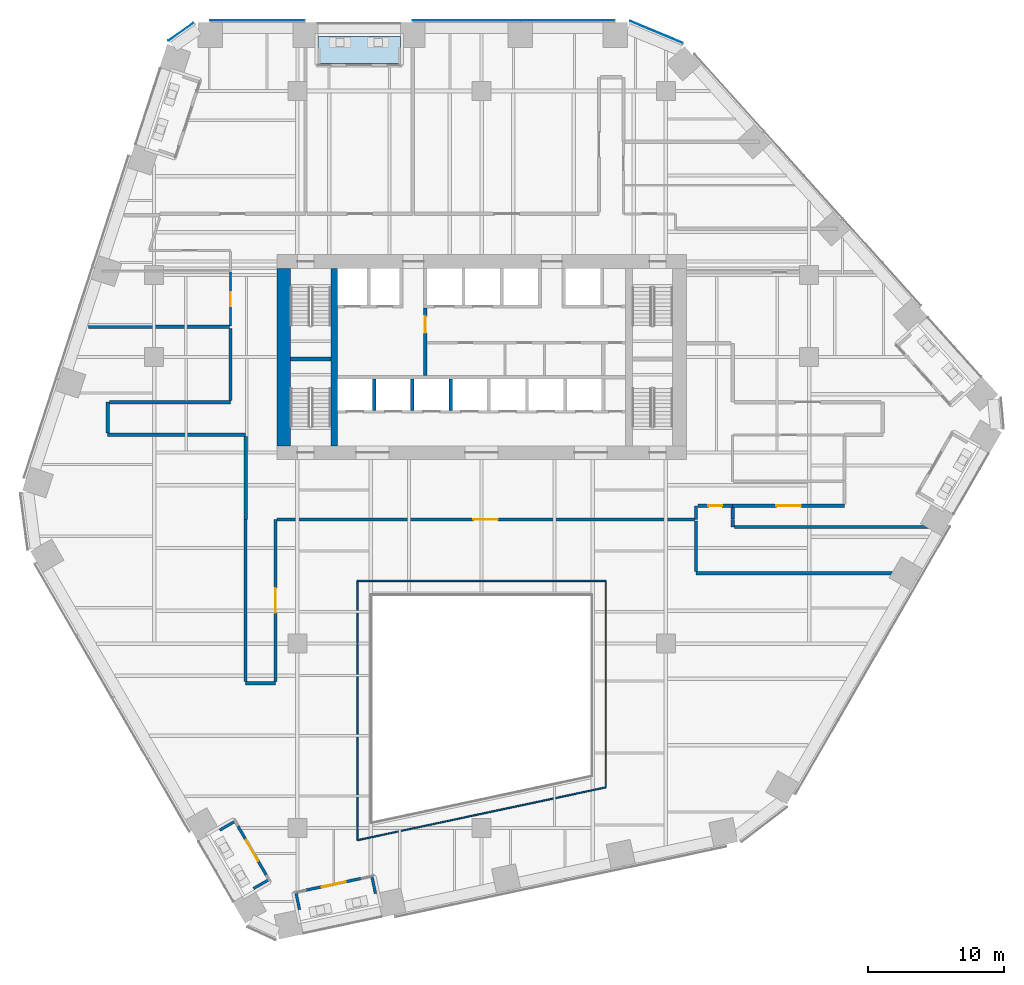
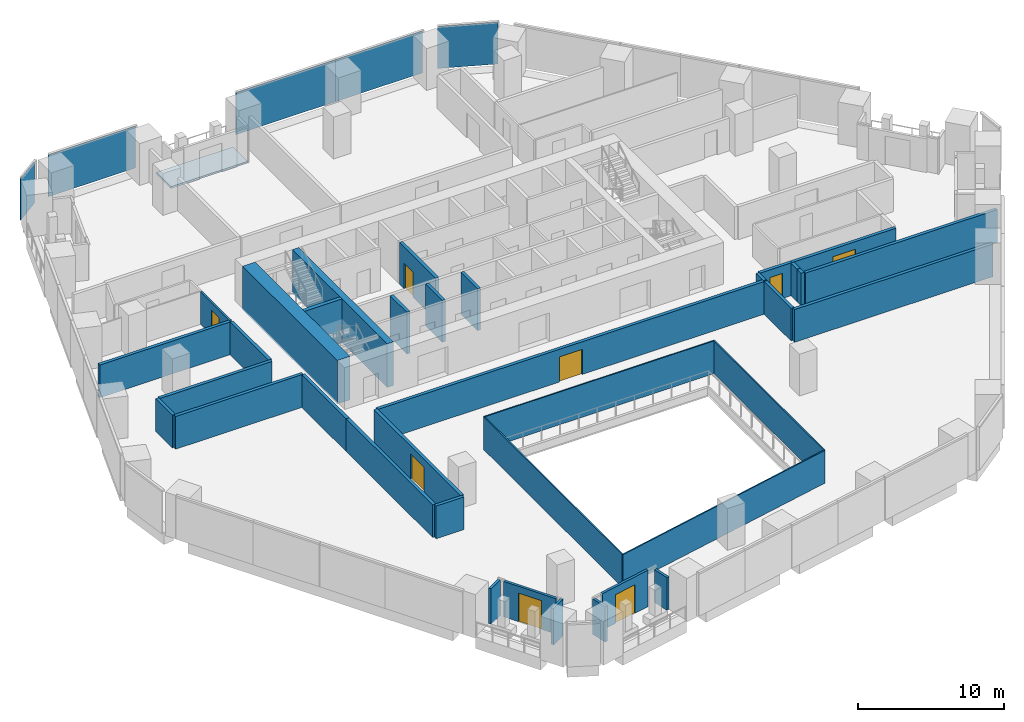
# One storey, part 20 of 28: 36 walls, 8 doors, 5 plates, 1 slab, 8 openings, 3 elements without a shape of their own.
"""IFC4 building model written with IfcOpenShell, lengths in metres."""

import ifcopenshell
import ifcopenshell.guid

model = None  # the IFC model being written
_history = None  # IfcOwnerHistory: only IFC2X3 demands one
_inside = {}  # id of a spatial element -> (the spatial element, [elements in it])
_under = {}  # id of a project, library or spatial element -> (it, [spatial elements below it])
_declared = {}  # id of a project -> (the project, [libraries it declares])
_typed = {}  # id of a type object -> (the type object, [elements of that type])
_made_of = {}  # id of a material, layer set ... -> (it, [elements and type objects made of it])


def new_model(schema):
    """Start an empty IFC model of exactly this schema.

    Asked for "IFC4X3", IfcOpenShell would pick the latest addendum, in which some entities
    have other attributes; the version numbers below select the first issue.
    IFC2X3 requires an IfcOwnerHistory on every rooted entity: one is made here for all.
    """
    global model, _history
    if schema == "IFC4X3":
        model = ifcopenshell.file(schema_version=(4, 3, 0, 0))
    else:
        model = ifcopenshell.file(schema=schema)
    _inside.clear()
    _under.clear()
    _declared.clear()
    _typed.clear()
    _made_of.clear()
    _history = None
    if model.schema == "IFC2X3":
        org = make("IfcOrganization", Name="unknown")
        user = make(
            "IfcPersonAndOrganization",
            ThePerson=make("IfcPerson", FamilyName="unknown"),
            TheOrganization=org,
        )
        app = make(
            "IfcApplication",
            ApplicationDeveloper=org,
            Version="unknown",
            ApplicationFullName="unknown",
            ApplicationIdentifier="unknown",
        )
        _history = make(
            "IfcOwnerHistory",
            OwningUser=user,
            OwningApplication=app,
            ChangeAction="ADDED",
            CreationDate=0,
        )
    return model


def make(cls, **values):
    """One entity of the class cls with the attributes given. An attribute that is None is left unset."""
    return model.create_entity(
        cls, **{name: value for name, value in values.items() if value is not None}
    )


def rooted(cls, **values):
    """An entity with a GlobalId (a new one), such as an element, a storey or a relation."""
    return make(cls, GlobalId=ifcopenshell.guid.new(), OwnerHistory=_history, **values)


def si_unit(unit_type, name, prefix=None):
    """IfcSIUnit, for example si_unit("LENGTHUNIT", "METRE", prefix="MILLI")."""
    return make("IfcSIUnit", UnitType=unit_type, Prefix=prefix, Name=name)


def assignment(units):
    """IfcUnitAssignment: the units of a project."""
    return None if units is None else make("IfcUnitAssignment", Units=units)


def point(xyz):
    """IfcCartesianPoint."""
    return None if xyz is None else make("IfcCartesianPoint", Coordinates=xyz)


def direction(xyz):
    """IfcDirection."""
    return None if xyz is None else make("IfcDirection", DirectionRatios=xyz)


def frame(location, z_axis=None, x_axis=None):
    """IfcAxis2Placement3D, a coordinate frame: its origin and axes. An axis left out is left unset."""
    return make(
        "IfcAxis2Placement3D",
        Location=point(location),
        Axis=direction(z_axis),
        RefDirection=direction(x_axis),
    )


def frame_2d(location, x_axis=None):
    """IfcAxis2Placement2D, a coordinate frame in the plane: its origin and x axis."""
    return make(
        "IfcAxis2Placement2D", Location=point(location), RefDirection=direction(x_axis)
    )


def origin():
    """The frame at (0, 0, 0) with its axes left unset."""
    return frame((0.0, 0.0, 0.0))


def origin_2d():
    """The frame at (0, 0) in the plane with its x axis left unset."""
    return frame_2d((0.0, 0.0))


def place(relative_to, where):
    """IfcLocalPlacement: puts the frame where relative to a parent placement (None: the world)."""
    return make(
        "IfcLocalPlacement", PlacementRelTo=relative_to, RelativePlacement=where
    )


def context(
    kind, dimensions, precision=None, world=None, true_north=None, identifier=None
):
    """IfcGeometricRepresentationContext, for example the 3D "Model" context."""
    return make(
        "IfcGeometricRepresentationContext",
        ContextIdentifier=identifier,
        ContextType=kind,
        CoordinateSpaceDimension=dimensions,
        Precision=precision,
        WorldCoordinateSystem=world,
        TrueNorth=true_north,
    )


def subcontext(parent, identifier, kind, view, scale=None):
    """IfcGeometricRepresentationSubContext, for example "Body" below "Model"."""
    return make(
        "IfcGeometricRepresentationSubContext",
        ContextIdentifier=identifier,
        ContextType=kind,
        ParentContext=parent,
        TargetScale=scale,
        TargetView=view,
    )


def project(units=None, contexts=None):
    """IfcProject with its units and contexts."""
    return rooted(
        "IfcProject",
        Name="project",
        RepresentationContexts=contexts,
        UnitsInContext=assignment(units),
    )


def spatial(cls, under=None, at=None, **own):
    """A site, building, storey or space (cls), placed at a placement, below another one or the project."""
    s = rooted(cls, ObjectPlacement=at, **own)
    if under is not None:
        _under.setdefault(under.id(), (under, []))[1].append(s)
    return s


def polyline(points):
    """IfcPolyline through the points."""
    return make("IfcPolyline", Points=[point(p) for p in points])


def profile(cls, at=None, kind="AREA", **sizes):
    """A parametric profile (cls). Its sizes go by their IFC names, for example OverallWidth=200.0."""
    return make(cls, ProfileType=kind, Position=at, **sizes)


def rectangle(**sizes):
    """IfcRectangleProfileDef."""
    return profile("IfcRectangleProfileDef", **sizes)


def outline(outer, holes=None, kind="AREA"):
    """IfcArbitraryClosedProfileDef: a profile drawn as a closed curve; with holes, ...WithVoids."""
    if holes is None:
        return make("IfcArbitraryClosedProfileDef", ProfileType=kind, OuterCurve=outer)
    return make(
        "IfcArbitraryProfileDefWithVoids",
        ProfileType=kind,
        OuterCurve=outer,
        InnerCurves=holes,
    )


def extrude(swept, where, along, depth):
    """IfcExtrudedAreaSolid: the profile swept, set in the frame where, extruded along a direction by depth."""
    return make(
        "IfcExtrudedAreaSolid",
        SweptArea=swept,
        Position=where,
        ExtrudedDirection=direction(along),
        Depth=depth,
    )


def shape(context_of_items, identifier, shape_type, items):
    """IfcShapeRepresentation: the items that make up one representation, for example the "Body"."""
    return make(
        "IfcShapeRepresentation",
        ContextOfItems=context_of_items,
        RepresentationIdentifier=identifier,
        RepresentationType=shape_type,
        Items=items,
    )


def material(Name=None, Category=None):
    """IfcMaterial."""
    return make("IfcMaterial", Name=Name, Category=Category)


def layer(
    of_material, thickness, ventilated=None, Name=None, Category=None, Priority=None
):
    """IfcMaterialLayer: one layer of a wall or slab, of a material (None: an air gap)."""
    return make(
        "IfcMaterialLayer",
        Material=of_material,
        LayerThickness=thickness,
        IsVentilated=ventilated,
        Name=Name,
        Category=Category,
        Priority=Priority,
    )


def layer_set(layers, Name=None):
    """IfcMaterialLayerSet."""
    return make("IfcMaterialLayerSet", MaterialLayers=layers, LayerSetName=Name)


def made_of(thing, what):
    """Note that an element or type object is made of a material, layer set ...; save() writes the relation."""
    if what is not None:
        _made_of.setdefault(what.id(), (what, []))[1].append(thing)
    return thing


def type_object(cls, material=None, **own):
    """A type object (cls), such as IfcWallType, which elements share."""
    return made_of(rooted(cls, **own), material)


def element(
    cls,
    number,
    at=None,
    inside=None,
    cuts=None,
    type_object=None,
    material=None,
    context=None,
    identifier="Body",
    shape_type=None,
    held_by="IfcProductDefinitionShape",
    body=None,
    shapes=None,
    **own,
):
    """One element of the class cls, such as IfcWall. Its Tag is "e" and its number.

    at: its placement. inside: the storey or other place that contains it. cuts: it is an
    opening in that element (IfcRelVoidsElement). A single representation is given by context,
    identifier, shape_type and body (its items); several are given by shapes. held_by: the class
    of the entity that holds the representations. save() writes the other relations.
    """
    e = rooted(cls, Tag="e%d" % number, ObjectPlacement=at, **own)
    if body is not None:
        shapes = [shape(context, identifier, shape_type, body)]
    if shapes is not None:
        e.Representation = make(held_by, Representations=shapes)
    if inside is not None:
        _inside.setdefault(inside.id(), (inside, []))[1].append(e)
    if cuts is not None:
        rooted(
            "IfcRelVoidsElement", RelatingBuildingElement=cuts, RelatedOpeningElement=e
        )
    if type_object is not None:
        _typed.setdefault(type_object.id(), (type_object, []))[1].append(e)
    return made_of(e, material)


def fill(opening, filler):
    """IfcRelFillsElement: the door or window that sits in an opening."""
    return rooted(
        "IfcRelFillsElement",
        RelatingOpeningElement=opening,
        RelatedBuildingElement=filler,
    )


def aggregate(whole, parts):
    """IfcRelAggregates: a whole, such as a stair, and the parts it consists of."""
    return rooted("IfcRelAggregates", RelatingObject=whole, RelatedObjects=parts)


def save(model, path):
    """Write the relations noted so far, then the file.

    IfcRelAggregates (storeys below a building ...), IfcRelContainedInSpatialStructure (elements
    in a storey), IfcRelDefinesByType, IfcRelAssociatesMaterial and IfcRelDeclares: one each for
    every whole, place, type object, material and project.
    """
    for whole, parts in _under.values():
        aggregate(whole, parts)
    for where, things in _inside.values():
        rooted(
            "IfcRelContainedInSpatialStructure",
            RelatedElements=things,
            RelatingStructure=where,
        )
    for kind, things in _typed.values():
        rooted("IfcRelDefinesByType", RelatedObjects=things, RelatingType=kind)
    for what, things in _made_of.values():
        rooted("IfcRelAssociatesMaterial", RelatedObjects=things, RelatingMaterial=what)
    for by, libraries in _declared.values():
        rooted("IfcRelDeclares", RelatingContext=by, RelatedDefinitions=libraries)
    model.write(path)


model = new_model("IFC4")

# Units and contexts
model_context = context("Model", 3, precision=1e-05, world=origin(), true_north=direction((0.0, 1.0)))
body_context = subcontext(model_context, "Body", "Model", "MODEL_VIEW")
ifc_project = project(units=[si_unit("LENGTHUNIT", "METRE"), si_unit("AREAUNIT", "SQUARE_METRE"), si_unit("VOLUMEUNIT", "CUBIC_METRE"), si_unit("PLANEANGLEUNIT", "RADIAN"), si_unit("MASSUNIT", "GRAM", prefix="KILO")], contexts=[model_context])

# Site, building, storey
site_placement = place(None, origin())
site = spatial("IfcSite", under=ifc_project, at=site_placement, CompositionType="ELEMENT")
building_placement = place(site_placement, origin())
building = spatial("IfcBuilding", under=site, at=building_placement, Name="Isthmus Gate Tower", CompositionType="ELEMENT")
storey_placement = place(building_placement, frame((0.0, 0.0, 68.85009765625)))
storey = spatial("IfcBuildingStorey", under=building, at=storey_placement, Name="L15", CompositionType="ELEMENT", Elevation=68.85009765625)

# Curtain wall, plates
ifc_material_1 = material(Name="Aluminium, pale champagne anodised", Category="aluminium")
ifc_layer_1 = layer(ifc_material_1, 0.199951171875)
ifc_layer_set_1 = layer_set([ifc_layer_1], Name="CW-1 UNITISED CURTAIN WALL 200 DEEP")
curtain_wall_type = type_object("IfcCurtainWallType", Name="CW-1 UNITISED CURTAIN WALL 200 DEEP", PredefinedType="NOTDEFINED", material=ifc_layer_set_1)
curtain_wall_1_placement = place(storey_placement, origin())
curtain_wall_1 = element("IfcCurtainWall", 1, at=curtain_wall_1_placement, inside=storey, type_object=curtain_wall_type, Name="CW-1 N L15", PredefinedType="NOTDEFINED")
ifc_material_2 = material(Name="Laminated low-iron glass, pale blue tint", Category="glass")
ifc_layer_2 = layer(ifc_material_2, 0.0400390625)
ifc_layer_set_2 = layer_set([ifc_layer_2], Name="CW-1 CLEAR GLASS LITE 40")
plate_type = type_object("IfcPlateType", Name="CW-1 CLEAR GLASS LITE 40", PredefinedType="CURTAIN_PANEL", material=ifc_layer_set_2)
plate_1_placement = place(storey_placement, frame((6.287109375, 32.179931640625, 0.0), z_axis=(0.0, 0.0, 1.0), x_axis=(-1.0, 0.0, 0.0)))
plate_1 = element("IfcPlate", 2, at=plate_1_placement, type_object=plate_type, Name="CW-1 glass lite", PredefinedType="CURTAIN_PANEL", context=body_context, shape_type="SweptSolid", body=[
    extrude(rectangle(XDim=6.909423828125, YDim=0.0400390625, at=origin_2d()), origin(), (0.0, 0.0, 1.0), 3.5),
])
plate_2_placement = place(storey_placement, frame((-1.1025390625, 32.179931640625, 0.0), z_axis=(0.0, 0.0, 1.0), x_axis=(-1.0, 0.0, 0.0)))
plate_2 = element("IfcPlate", 3, at=plate_2_placement, type_object=plate_type, Name="CW-1 glass lite", PredefinedType="CURTAIN_PANEL", context=body_context, shape_type="SweptSolid", body=[
    extrude(rectangle(XDim=7.86962890625, YDim=0.0400390625, at=origin_2d()), origin(), (0.0, 0.0, 1.0), 3.5),
])
plate_3_placement = place(storey_placement, frame((-16.42138671875, 32.179931640625, 0.0), z_axis=(0.0, 0.0, 1.0), x_axis=(-1.0, 0.0, 0.0)))
plate_3 = element("IfcPlate", 4, at=plate_3_placement, type_object=plate_type, Name="CW-1 glass lite", PredefinedType="CURTAIN_PANEL", context=body_context, shape_type="SweptSolid", body=[
    extrude(rectangle(XDim=6.909423828125, YDim=0.0400390625, at=origin_2d()), origin(), (0.0, 0.0, 1.0), 3.5),
])
aggregate(curtain_wall_1, [plate_1, plate_2, plate_3])

# Curtain wall, plate
curtain_wall_2_placement = place(storey_placement, origin())
curtain_wall_2 = element("IfcCurtainWall", 5, at=curtain_wall_2_placement, inside=storey, type_object=curtain_wall_type, Name="CW-1 N-NW L15", PredefinedType="NOTDEFINED")
plate_4_placement = place(storey_placement, frame((-22.025146484375, 31.341552734375, 0.0), z_axis=(0.0, 0.0, 1.0), x_axis=(-0.81785959165, -0.57541783805, 0.0)))
plate_4 = element("IfcPlate", 6, at=plate_4_placement, type_object=plate_type, Name="CW-1 glass lite", PredefinedType="CURTAIN_PANEL", context=body_context, shape_type="SweptSolid", body=[
    extrude(rectangle(XDim=2.258544921875, YDim=0.0400390625, at=origin_2d()), origin(), (0.0, 0.0, 1.0), 3.5),
])
aggregate(curtain_wall_2, [plate_4])

curtain_wall_3_placement = place(storey_placement, origin())
curtain_wall_3 = element("IfcCurtainWall", 7, at=curtain_wall_3_placement, inside=storey, type_object=curtain_wall_type, Name="CW-1 NE-N L15", PredefinedType="NOTDEFINED")
plate_5_placement = place(storey_placement, frame((12.816650390625, 31.315673828125, 0.0), z_axis=(0.0, 0.0, 1.0), x_axis=(-0.923353128387, 0.383951820282, 0.0)))
plate_5 = element("IfcPlate", 8, at=plate_5_placement, type_object=plate_type, Name="CW-1 glass lite", PredefinedType="CURTAIN_PANEL", context=body_context, shape_type="SweptSolid", body=[
    extrude(rectangle(XDim=4.181396484375, YDim=0.0400390625, at=origin_2d()), origin(), (0.0, 0.0, 1.0), 3.5),
])
aggregate(curtain_wall_3, [plate_5])

# Slab
ifc_material_3 = material(Name="Concrete f'c 50 MPa", Category="concrete")
ifc_layer_3 = layer(ifc_material_3, 0.14990234375)
ifc_layer_set_3 = layer_set([ifc_layer_3], Name="LOGGIA FLOOR SLAB 150")
slab_type = type_object("IfcSlabType", Name="LOGGIA FLOOR SLAB 150", PredefinedType="FLOOR", material=ifc_layer_set_3)
slab_placement = place(storey_placement, frame((0.0, 0.0, -0.150146484375)))
element("IfcSlab", 9, at=slab_placement, inside=storey, type_object=slab_type, Name="LOGGIA FLOOR", PredefinedType="FLOOR", context=body_context, shape_type="SweptSolid", body=[
    extrude(outline(polyline([(-5.937255859375, 31.0), (-12.006591796875, 31.0), (-12.006591796875, 29.0), (-5.937255859375, 29.0), (-5.937255859375, 31.0)])), origin(), (0.0, 0.0, 1.0), 0.150146484375),
])

# Wall
ifc_material_4 = material(Name="Double-leaf acoustic stud wall, fire-rated", Category="gypsum")
ifc_layer_4 = layer(ifc_material_4, 0.25)
ifc_layer_set_4 = layer_set([ifc_layer_4], Name="ACOUSTIC WALL 250 60 MIN")
wall_type_1 = type_object("IfcWallType", Name="ACOUSTIC WALL 250 60 MIN", PredefinedType="PARTITIONING", material=ifc_layer_set_4)
wall_1_placement = place(storey_placement, frame((15.712890625, -3.39990234375, 0.0), z_axis=(0.0, 0.0, 1.0), x_axis=(0.0, -1.0, 0.0)))
element("IfcWall", 10, at=wall_1_placement, inside=storey, type_object=wall_type_1, Name="L15 Acoustic Wall 250 60 Min", PredefinedType="PARTITIONING", context=body_context, shape_type="SweptSolid", body=[
    extrude(rectangle(XDim=1.0, YDim=0.25, at=frame_2d((0.5, 0.0))), origin(), (0.0, 0.0, 1.0), 2.7412109375),
])

# Wall, opening, door
wall_2_placement = place(storey_placement, frame((15.587890625, -4.39990234375, 0.0), z_axis=(0.0, 0.0, 1.0), x_axis=(-1.0, 0.0, 0.0)))
wall_2 = element("IfcWall", 11, at=wall_2_placement, inside=storey, type_object=wall_type_1, Name="L15 Acoustic Wall 250 60 Min", PredefinedType="PARTITIONING", context=body_context, shape_type="SweptSolid", body=[
    extrude(rectangle(XDim=30.56298828125, YDim=0.25, at=frame_2d((15.281494140625, 0.0))), origin(), (0.0, 0.0, 1.0), 2.7412109375),
])
opening_1_placement = place(wall_2_placement, frame((14.39404296875, 0.0, 0.0)))
opening_1 = element("IfcOpeningElement", 12, at=opening_1_placement, cuts=wall_2, Name="Opening DT-T1D-14", PredefinedType="OPENING", context=body_context, shape_type="SweptSolid", body=[
    extrude(rectangle(XDim=1.800048828125, YDim=2.10009765625, at=frame_2d((0.89990234375, 1.050048828125))), frame((0.0, 0.135009765625, 0.0), z_axis=(0.0, -1.0, 0.0), x_axis=(1.0, 0.0, 0.0)), (0.0, 0.0, 1.0), 0.27001953125),
])
ifc_material_5 = material(Name="Solid core timber door leaf, fire-rated", Category="wood")
door_type_1 = type_object("IfcDoorType", Name="FIRE DOOR ACOUSTIC ROOM 1800 X 2100 60 MIN", OperationType="DOUBLE_DOOR_DOUBLE_SWING", PredefinedType="DOOR", material=ifc_material_5)
door_1_placement = place(opening_1_placement, origin())
door_1 = element("IfcDoor", 13, at=door_1_placement, inside=storey, type_object=door_type_1, Name="L15 room door", OperationType="DOUBLE_DOOR_DOUBLE_SWING", OverallHeight=2.10009765625, OverallWidth=1.800048828125, PredefinedType="DOOR", context=body_context, shape_type="SweptSolid", body=[
    extrude(rectangle(XDim=1.800048828125, YDim=2.10009765625, at=frame_2d((0.89990234375, 1.050048828125))), frame((0.0, 0.02490234375, 0.0), z_axis=(0.0, -1.0, 0.0), x_axis=(1.0, 0.0, 0.0)), (0.0, 0.0, 1.0), 0.050048828125),
])
fill(opening_1, door_1)

# Wall
wall_3_placement = place(storey_placement, frame((-15.10009765625, -16.39990234375, 0.0), z_axis=(0.0, 0.0, 1.0), x_axis=(-1.0, 0.0, 0.0)))
element("IfcWall", 14, at=wall_3_placement, inside=storey, type_object=wall_type_1, Name="L15 Acoustic Wall 250 60 Min", PredefinedType="PARTITIONING", context=body_context, shape_type="SweptSolid", body=[
    extrude(rectangle(XDim=2.199951171875, YDim=0.25, at=frame_2d((1.10009765625, 0.0))), origin(), (0.0, 0.0, 1.0), 2.7412109375),
])

# Wall, opening, door
wall_4_placement = place(storey_placement, frame((-15.10009765625, -4.39990234375, 0.0), z_axis=(0.0, 0.0, 1.0), x_axis=(0.0, -1.0, 0.0)))
wall_4 = element("IfcWall", 15, at=wall_4_placement, inside=storey, type_object=wall_type_1, Name="L15 Acoustic Wall 250 60 Min", PredefinedType="PARTITIONING", context=body_context, shape_type="SweptSolid", body=[
    extrude(rectangle(XDim=11.875, YDim=0.25, at=frame_2d((5.9375, 0.0))), origin(), (0.0, 0.0, 1.0), 2.7412109375),
])
opening_2_placement = place(wall_4_placement, frame((5.03759765625, 0.0, 0.0)))
opening_2 = element("IfcOpeningElement", 16, at=opening_2_placement, cuts=wall_4, Name="Opening DT-T1D-15", PredefinedType="OPENING", context=body_context, shape_type="SweptSolid", body=[
    extrude(rectangle(XDim=1.800048828125, YDim=2.10009765625, at=frame_2d((0.89990234375, 1.050048828125))), frame((0.0, 0.135009765625, 0.0), z_axis=(0.0, -1.0, 0.0), x_axis=(1.0, 0.0, 0.0)), (0.0, 0.0, 1.0), 0.27001953125),
])
door_2_placement = place(opening_2_placement, origin())
door_2 = element("IfcDoor", 17, at=door_2_placement, inside=storey, type_object=door_type_1, Name="L15 room door", OperationType="DOUBLE_DOOR_DOUBLE_SWING", OverallHeight=2.10009765625, OverallWidth=1.800048828125, PredefinedType="DOOR", context=body_context, shape_type="SweptSolid", body=[
    extrude(rectangle(XDim=1.800048828125, YDim=2.10009765625, at=frame_2d((0.89990234375, 1.050048828125))), frame((0.0, 0.02490234375, 0.0), z_axis=(0.0, -1.0, 0.0), x_axis=(1.0, 0.0, 0.0)), (0.0, 0.0, 1.0), 0.050048828125),
])
fill(opening_2, door_2)

# Wall
wall_5_placement = place(storey_placement, frame((-17.298095703125, 1.802001953125, 0.0), z_axis=(0.0, 0.0, 1.0), x_axis=(-0.999999981309, -0.000193344125, 0.0)))
element("IfcWall", 18, at=wall_5_placement, inside=storey, type_object=wall_type_1, Name="L15 Acoustic Wall 250 60 Min", PredefinedType="PARTITIONING", context=body_context, shape_type="SweptSolid", body=[
    extrude(rectangle(XDim=10.101806640625, YDim=0.25, at=frame_2d((5.05078125, 0.0))), origin(), (0.0, 0.0, 1.0), 2.7412109375),
])

# Wall, opening, door
wall_6_placement = place(storey_placement, frame((26.590087890625, -3.39990234375, 0.0), z_axis=(0.0, 0.0, 1.0), x_axis=(-1.0, 0.0, 0.0)))
wall_6 = element("IfcWall", 19, at=wall_6_placement, inside=storey, type_object=wall_type_1, Name="L15 Acoustic Wall 250 60 Min", PredefinedType="PARTITIONING", context=body_context, shape_type="SweptSolid", body=[
    extrude(rectangle(XDim=8.18798828125, YDim=0.25, at=frame_2d((4.093994140625, 0.0))), origin(), (0.0, 0.0, 1.0), 2.7412109375),
])
opening_3_placement = place(wall_6_placement, frame((3.194091796875, 0.0, 0.0)))
opening_3 = element("IfcOpeningElement", 20, at=opening_3_placement, cuts=wall_6, Name="Opening DT-T1D-11", PredefinedType="OPENING", context=body_context, shape_type="SweptSolid", body=[
    extrude(rectangle(XDim=1.800048828125, YDim=2.10009765625, at=frame_2d((0.89990234375, 1.050048828125))), frame((0.0, 0.135009765625, 0.0), z_axis=(0.0, -1.0, 0.0), x_axis=(1.0, 0.0, 0.0)), (0.0, 0.0, 1.0), 0.27001953125),
])
door_3_placement = place(opening_3_placement, origin())
door_3 = element("IfcDoor", 21, at=door_3_placement, inside=storey, type_object=door_type_1, Name="L15 room door", OperationType="DOUBLE_DOOR_DOUBLE_SWING", OverallHeight=2.10009765625, OverallWidth=1.800048828125, PredefinedType="DOOR", context=body_context, shape_type="SweptSolid", body=[
    extrude(rectangle(XDim=1.800048828125, YDim=2.10009765625, at=frame_2d((0.89990234375, 1.050048828125))), frame((0.0, 0.02490234375, 0.0), z_axis=(0.0, -1.0, 0.0), x_axis=(1.0, 0.0, 0.0)), (0.0, 0.0, 1.0), 0.050048828125),
])
fill(opening_3, door_3)

wall_7_placement = place(storey_placement, frame((18.402099609375, -3.39794921875, 0.0), z_axis=(0.0, 0.0, 1.0), x_axis=(-1.0, 0.0, 0.0)))
wall_7 = element("IfcWall", 22, at=wall_7_placement, inside=storey, type_object=wall_type_1, Name="L15 Acoustic Wall 250 60 Min", PredefinedType="PARTITIONING", context=body_context, shape_type="SweptSolid", body=[
    extrude(rectangle(XDim=2.56201171875, YDim=0.25, at=frame_2d((1.281005859375, 0.0))), origin(), (0.0, 0.0, 1.0), 2.7412109375),
])
opening_4_placement = place(wall_7_placement, frame((0.781005859375, 0.0, 0.0)))
opening_4 = element("IfcOpeningElement", 23, at=opening_4_placement, cuts=wall_7, Name="Opening DT-T1D-13", PredefinedType="OPENING", context=body_context, shape_type="SweptSolid", body=[
    extrude(rectangle(XDim=1.0, YDim=2.10009765625, at=frame_2d((0.5, 1.050048828125))), frame((0.0, 0.135009765625, 0.0), z_axis=(0.0, -1.0, 0.0), x_axis=(1.0, 0.0, 0.0)), (0.0, 0.0, 1.0), 0.27001953125),
])
ifc_material_6 = material(Name="Solid core timber door leaf, fire-rated", Category="wood")
door_type_2 = type_object("IfcDoorType", Name="FIRE DOOR ACOUSTIC ROOM 1000 X 2100 60 MIN", OperationType="SINGLE_SWING_LEFT", PredefinedType="DOOR", material=ifc_material_6)
door_4_placement = place(opening_4_placement, origin())
door_4 = element("IfcDoor", 24, at=door_4_placement, inside=storey, type_object=door_type_2, Name="L15 room door", OperationType="SINGLE_SWING_RIGHT", OverallHeight=2.10009765625, OverallWidth=1.0, PredefinedType="DOOR", context=body_context, shape_type="SweptSolid", body=[
    extrude(rectangle(XDim=1.0, YDim=2.10009765625, at=frame_2d((0.5, 1.050048828125))), frame((0.0, 0.02490234375, 0.0), z_axis=(0.0, -1.0, 0.0), x_axis=(1.0, 0.0, 0.0)), (0.0, 0.0, 1.0), 0.050048828125),
])
fill(opening_4, door_4)

# Walls
wall_8_placement = place(storey_placement, frame((-28.823974609375, 9.714111328125, 0.0), z_axis=(0.0, 0.0, 1.0), x_axis=(1.0, 0.0, 0.0)))
element("IfcWall", 25, at=wall_8_placement, inside=storey, type_object=wall_type_1, Name="L15 Acoustic Wall 250 60 Min", PredefinedType="PARTITIONING", context=body_context, shape_type="SweptSolid", body=[
    extrude(rectangle(XDim=10.348876953125, YDim=0.25, at=frame_2d((5.17431640625, 0.0))), origin(), (0.0, 0.0, 1.0), 2.7412109375),
])
wall_9_placement = place(storey_placement, frame((18.39794921875, -4.39990234375, 0.0), z_axis=(0.0, 0.0, 1.0), x_axis=(0.003550798743, -0.999993695894, 0.0)))
element("IfcWall", 26, at=wall_9_placement, inside=storey, type_object=wall_type_1, Name="L15 Acoustic Wall 250 60 Min", PredefinedType="PARTITIONING", context=body_context, shape_type="SweptSolid", body=[
    extrude(rectangle(XDim=0.550048828125, YDim=0.25, at=frame_2d((0.27490234375, 0.0))), origin(), (0.0, 0.0, 1.0), 2.7412109375),
])
wall_10_placement = place(storey_placement, frame((18.52490234375, -4.949951171875, 0.0), z_axis=(0.0, 0.0, 1.0), x_axis=(1.0, 0.0, 0.0)))
element("IfcWall", 27, at=wall_10_placement, inside=storey, type_object=wall_type_1, Name="L15 Acoustic Wall 250 60 Min", PredefinedType="PARTITIONING", context=body_context, shape_type="SweptSolid", body=[
    extrude(rectangle(XDim=15.2080078125, YDim=0.25, at=frame_2d((7.60400390625, 0.0))), origin(), (0.0, 0.0, 1.0), 2.7412109375),
])
wall_11_placement = place(storey_placement, frame((18.39990234375, -4.3720703125, 0.0), z_axis=(0.0, 0.0, 1.0), x_axis=(0.002017286962, 0.999997965275, 0.0)))
element("IfcWall", 28, at=wall_11_placement, inside=storey, type_object=wall_type_1, Name="L15 Acoustic Wall 250 60 Min", PredefinedType="PARTITIONING", context=body_context, shape_type="SweptSolid", body=[
    extrude(rectangle(XDim=0.84716796875, YDim=0.25, at=frame_2d((0.423583984375, 0.0))), origin(), (0.0, 0.0, 1.0), 2.7412109375),
])
wall_12_placement = place(storey_placement, frame((15.712890625, -8.35009765625, 0.0), z_axis=(0.0, 0.0, 1.0), x_axis=(1.0, 0.0, 0.0)))
element("IfcWall", 29, at=wall_12_placement, inside=storey, type_object=wall_type_1, Name="L15 Acoustic Wall 250 60 Min", PredefinedType="PARTITIONING", context=body_context, shape_type="SweptSolid", body=[
    extrude(rectangle(XDim=15.72412109375, YDim=0.25, at=frame_2d((7.862060546875, 0.0))), origin(), (0.0, 0.0, 1.0), 2.7412109375),
])
wall_13_placement = place(storey_placement, frame((-27.39990234375, 1.925048828125, 0.0), z_axis=(0.0, 0.0, 1.0), x_axis=(0.0, 1.0, 0.0)))
element("IfcWall", 30, at=wall_13_placement, inside=storey, type_object=wall_type_1, Name="L15 Acoustic Wall 250 60 Min", PredefinedType="PARTITIONING", context=body_context, shape_type="SweptSolid", body=[
    extrude(rectangle(XDim=2.27490234375, YDim=0.25, at=frame_2d((1.137451171875, 0.0))), origin(), (0.0, 0.0, 1.0), 2.7412109375),
])
wall_14_placement = place(storey_placement, frame((-27.27490234375, 4.199951171875, 0.0), z_axis=(0.0, 0.0, 1.0), x_axis=(1.0, 0.0, 0.0)))
element("IfcWall", 31, at=wall_14_placement, inside=storey, type_object=wall_type_1, Name="L15 Acoustic Wall 250 60 Min", PredefinedType="PARTITIONING", context=body_context, shape_type="SweptSolid", body=[
    extrude(rectangle(XDim=8.875, YDim=0.25, at=frame_2d((4.4375, 0.0))), origin(), (0.0, 0.0, 1.0), 2.7412109375),
])
wall_15_placement = place(storey_placement, frame((-18.39990234375, 4.324951171875, 0.0), z_axis=(0.0, 0.0, 1.0), x_axis=(0.0, 1.0, 0.0)))
element("IfcWall", 32, at=wall_15_placement, inside=storey, type_object=wall_type_1, Name="L15 Acoustic Wall 250 60 Min", PredefinedType="PARTITIONING", context=body_context, shape_type="SweptSolid", body=[
    extrude(rectangle(XDim=5.26416015625, YDim=0.25, at=frame_2d((2.632080078125, 0.0))), origin(), (0.0, 0.0, 1.0), 2.7412109375),
])
wall_16_placement = place(storey_placement, frame((-17.300048828125, -16.27490234375, 0.0), z_axis=(0.0, 0.0, 1.0), x_axis=(0.0, 1.0, 0.0)))
element("IfcWall", 33, at=wall_16_placement, inside=storey, type_object=wall_type_1, Name="L15 Acoustic Wall 250 60 Min", PredefinedType="PARTITIONING", context=body_context, shape_type="SweptSolid", body=[
    extrude(rectangle(XDim=11.872802734375, YDim=0.25, at=frame_2d((5.9365234375, 0.0))), origin(), (0.0, 0.0, 1.0), 2.7412109375),
])
wall_17_placement = place(storey_placement, frame((-17.298095703125, -4.402099609375, 0.0), z_axis=(0.0, 0.0, 1.0), x_axis=(0.0, 1.0, 0.0)))
element("IfcWall", 34, at=wall_17_placement, inside=storey, type_object=wall_type_1, Name="L15 Acoustic Wall 250 60 Min", PredefinedType="PARTITIONING", context=body_context, shape_type="SweptSolid", body=[
    extrude(rectangle(XDim=6.0791015625, YDim=0.25, at=frame_2d((3.03955078125, 0.0))), origin(), (0.0, 0.0, 1.0), 2.7412109375),
])
wall_18_placement = place(storey_placement, frame((15.712890625, -4.52490234375, 0.0), z_axis=(0.0, 0.0, 1.0), x_axis=(0.0, -1.0, 0.0)))
element("IfcWall", 35, at=wall_18_placement, inside=storey, type_object=wall_type_1, Name="L15 Acoustic Wall 250 60 Min", PredefinedType="PARTITIONING", context=body_context, shape_type="SweptSolid", body=[
    extrude(rectangle(XDim=3.7001953125, YDim=0.25, at=frame_2d((1.85009765625, 0.0))), origin(), (0.0, 0.0, 1.0), 2.7412109375),
])
ifc_material_7 = material(Name="Fire-rated laminated glass in steel frame", Category="steel")
ifc_layer_5 = layer(ifc_material_7, 0.10009765625)
ifc_layer_set_5 = layer_set([ifc_layer_5], Name="ATRIUM SCREEN GLAZED WALL 100 120 MIN")
wall_type_2 = type_object("IfcWallType", Name="ATRIUM SCREEN GLAZED WALL 100 120 MIN", PredefinedType="PARTITIONING", material=ifc_layer_set_5)
wall_19_placement = place(storey_placement, frame((-9.10009765625, -8.89990234375, 0.0), z_axis=(0.0, 0.0, 1.0), x_axis=(1.0, 0.0, 0.0)))
element("IfcWall", 36, at=wall_19_placement, inside=storey, type_object=wall_type_2, Name="L15 atrium screen", PredefinedType="PARTITIONING", context=body_context, shape_type="SweptSolid", body=[
    extrude(rectangle(XDim=18.2001953125, YDim=0.10009765625, at=frame_2d((9.10009765625, 0.0))), origin(), (0.0, 0.0, 1.0), 2.7412109375),
])
wall_20_placement = place(storey_placement, frame((9.10009765625, -8.89990234375, 0.0), z_axis=(0.0, 0.0, 1.0), x_axis=(0.0, -1.0, 0.0)))
element("IfcWall", 37, at=wall_20_placement, inside=storey, type_object=wall_type_2, Name="L15 atrium screen", PredefinedType="PARTITIONING", context=body_context, shape_type="SweptSolid", body=[
    extrude(rectangle(XDim=15.134033203125, YDim=0.10009765625, at=frame_2d((7.56689453125, 0.0))), origin(), (0.0, 0.0, 1.0), 2.7412109375),
])
wall_21_placement = place(storey_placement, frame((9.10009765625, -24.033935546875, 0.0), z_axis=(0.0, 0.0, 1.0), x_axis=(-0.978146710971, -0.207915876778, 0.0)))
element("IfcWall", 38, at=wall_21_placement, inside=storey, type_object=wall_type_2, Name="L15 atrium screen", PredefinedType="PARTITIONING", context=body_context, shape_type="SweptSolid", body=[
    extrude(rectangle(XDim=18.60693359375, YDim=0.10009765625, at=frame_2d((9.303466796875, 0.0))), origin(), (0.0, 0.0, 1.0), 2.7412109375),
])
wall_22_placement = place(storey_placement, frame((-9.10009765625, -27.902587890625, 0.0), z_axis=(0.0, 0.0, 1.0), x_axis=(0.0, 1.0, 0.0)))
element("IfcWall", 39, at=wall_22_placement, inside=storey, type_object=wall_type_2, Name="L15 atrium screen", PredefinedType="PARTITIONING", context=body_context, shape_type="SweptSolid", body=[
    extrude(rectangle(XDim=19.002685546875, YDim=0.10009765625, at=frame_2d((9.50146484375, 0.0))), origin(), (0.0, 0.0, 1.0), 2.7412109375),
])

# Wall, opening, door
ifc_material_8 = material(Name="Gypsum board on steel studs, fire-rated", Category="steel")
ifc_layer_6 = layer(ifc_material_8, 0.14990234375)
ifc_layer_set_6 = layer_set([ifc_layer_6], Name="CORRIDOR WALL 150 60 MIN")
wall_type_3 = type_object("IfcWallType", Name="CORRIDOR WALL 150 60 MIN", PredefinedType="PARTITIONING", material=ifc_layer_set_6)
wall_23_placement = place(storey_placement, frame((-18.39990234375, 9.763916015625, 0.0), z_axis=(0.0, 0.0, 1.0), x_axis=(0.0, 1.0, 0.0)))
wall_23 = element("IfcWall", 40, at=wall_23_placement, inside=storey, type_object=wall_type_3, Name="L15 Corridor Wall 150 60 Min", PredefinedType="PARTITIONING", context=body_context, shape_type="SweptSolid", body=[
    extrude(rectangle(XDim=3.985107421875, YDim=0.14990234375, at=frame_2d((1.99267578125, 0.0))), origin(), (0.0, 0.0, 1.0), 2.7412109375),
])
opening_5_placement = place(wall_23_placement, frame((1.467529296875, 0.0, 0.0)))
opening_5 = element("IfcOpeningElement", 41, at=opening_5_placement, cuts=wall_23, Name="Opening DT-T1D-09", PredefinedType="OPENING", context=body_context, shape_type="SweptSolid", body=[
    extrude(rectangle(XDim=1.0, YDim=2.10009765625, at=frame_2d((0.5, 1.050048828125))), frame((0.0, 0.0849609375, 0.0), z_axis=(0.0, -1.0, 0.0), x_axis=(1.0, 0.0, 0.0)), (0.0, 0.0, 1.0), 0.169921875),
])
ifc_material_9 = material(Name="Solid core timber door leaf, fire-rated", Category="wood")
door_type_3 = type_object("IfcDoorType", Name="FIRE DOOR ROOM 1000 X 2100 60 MIN", OperationType="SINGLE_SWING_LEFT", PredefinedType="DOOR", material=ifc_material_9)
door_5_placement = place(opening_5_placement, origin())
door_5 = element("IfcDoor", 42, at=door_5_placement, inside=storey, type_object=door_type_3, Name="L15 room door", OperationType="SINGLE_SWING_RIGHT", OverallHeight=2.10009765625, OverallWidth=1.0, PredefinedType="DOOR", context=body_context, shape_type="SweptSolid", body=[
    extrude(rectangle(XDim=1.0, YDim=2.10009765625, at=frame_2d((0.5, 1.050048828125))), frame((0.0, 0.02490234375, 0.0), z_axis=(0.0, -1.0, 0.0), x_axis=(1.0, 0.0, 0.0)), (0.0, 0.0, 1.0), 0.050048828125),
])
fill(opening_5, door_5)

ifc_material_10 = material(Name="Fire-rated blockwork masonry, 15 MPa", Category="masonry")
ifc_layer_7 = layer(ifc_material_10, 0.25)
ifc_layer_set_7 = layer_set([ifc_layer_7], Name="FIRE-FIGHTING LOBBY WALL 250 90 MIN")
wall_type_4 = type_object("IfcWallType", Name="FIRE-FIGHTING LOBBY WALL 250 90 MIN", PredefinedType="PARTITIONING", material=ifc_layer_set_7)
wall_24_placement = place(storey_placement, frame((-4.125, 6.14990234375, 0.0), z_axis=(0.0, 0.0, 1.0), x_axis=(0.0, 1.0, 0.0)))
wall_24 = element("IfcWall", 43, at=wall_24_placement, inside=storey, type_object=wall_type_4, Name="L15 FIRE-FIGHTING LOBBY WALL 250 90 MIN", PredefinedType="PARTITIONING", context=body_context, shape_type="SweptSolid", body=[
    extrude(rectangle(XDim=4.9501953125, YDim=0.25, at=frame_2d((2.47509765625, 0.0))), origin(), (0.0, 0.0, 1.0), 3.5),
])
opening_6_placement = place(wall_24_placement, frame((3.125, 0.0, 0.0)))
opening_6 = element("IfcOpeningElement", 44, at=opening_6_placement, cuts=wall_24, Name="Opening DC-A04-01", PredefinedType="OPENING", context=body_context, shape_type="SweptSolid", body=[
    extrude(rectangle(XDim=1.199951171875, YDim=2.10009765625, at=frame_2d((0.60009765625, 1.050048828125))), frame((0.0, 0.135009765625, 0.0), z_axis=(0.0, -1.0, 0.0), x_axis=(1.0, 0.0, 0.0)), (0.0, 0.0, 1.0), 0.27001953125),
])
ifc_material_11 = material(Name="Steel door leaf, fire-rated", Category="steel")
door_type_4 = type_object("IfcDoorType", Name="LOBBY FIRE DOOR 1200 X 2100 90 MIN", OperationType="DOUBLE_DOOR_SINGLE_SWING", PredefinedType="DOOR", material=ifc_material_11)
door_6_placement = place(opening_6_placement, origin())
door_6 = element("IfcDoor", 45, at=door_6_placement, inside=storey, type_object=door_type_4, Name="Fire-fighting Lobby Door", OperationType="SINGLE_SWING_LEFT", OverallHeight=2.10009765625, OverallWidth=1.199951171875, PredefinedType="DOOR", context=body_context, shape_type="SweptSolid", body=[
    extrude(rectangle(XDim=1.199951171875, YDim=2.10009765625, at=frame_2d((0.60009765625, 1.050048828125))), frame((0.0, 0.02490234375, 0.0), z_axis=(0.0, -1.0, 0.0), x_axis=(1.0, 0.0, 0.0)), (0.0, 0.0, 1.0), 0.050048828125),
])
fill(opening_6, door_6)

ifc_material_12 = material(Name="Precast concrete C40/50", Category="concrete")
ifc_layer_8 = layer(ifc_material_12, 0.199951171875)
ifc_layer_set_8 = layer_set([ifc_layer_8], Name="LOGGIA WALL 200")
wall_type_5 = type_object("IfcWallType", Name="LOGGIA WALL 200", PredefinedType="SOLIDWALL", material=ifc_layer_set_8)
wall_25_placement = place(storey_placement, frame((-17.86181640625, -26.862548828125, 0.0), z_axis=(0.0, 0.0, 1.0), x_axis=(0.500004672885, -0.866022705876, 0.0)))
wall_25 = element("IfcWall", 46, at=wall_25_placement, inside=storey, type_object=wall_type_5, Name="LOGGIA BACK WALL", PredefinedType="SOLIDWALL", context=body_context, shape_type="SweptSolid", body=[
    extrude(rectangle(XDim=4.1435546875, YDim=0.199951171875, at=frame_2d((2.07177734375, 0.0))), origin(), (0.0, 0.0, 1.0), 2.966552734375),
])
opening_7_placement = place(wall_25_placement, frame((1.171875, 0.0, 0.0)))
opening_7 = element("IfcOpeningElement", 47, at=opening_7_placement, cuts=wall_25, Name="Opening DE15-03", PredefinedType="OPENING", context=body_context, shape_type="SweptSolid", body=[
    extrude(rectangle(XDim=1.800048828125, YDim=2.39990234375, at=frame_2d((0.89990234375, 1.199951171875))), frame((0.0, 0.10986328125, 0.0), z_axis=(0.0, -1.0, 0.0), x_axis=(1.0, 0.0, 0.0)), (0.0, 0.0, 1.0), 0.219970703125),
])
ifc_material_13 = material(Name="Aluminium, pale champagne anodised, laminated glass", Category="aluminium")
door_type_5 = type_object("IfcDoorType", Name="LOGGIA DOOR SLIDING 1800 X 2400", OperationType="DOUBLE_DOOR_SLIDING", PredefinedType="DOOR", material=ifc_material_13)
door_7_placement = place(opening_7_placement, origin())
door_7 = element("IfcDoor", 48, at=door_7_placement, inside=storey, type_object=door_type_5, Name="DOOR DE15-03", OperationType="SINGLE_SWING_LEFT", OverallHeight=2.39990234375, OverallWidth=1.800048828125, PredefinedType="DOOR", context=body_context, shape_type="SweptSolid", body=[
    extrude(rectangle(XDim=1.800048828125, YDim=2.39990234375, at=frame_2d((0.89990234375, 1.199951171875))), frame((0.0, 0.02490234375, 0.0), z_axis=(0.0, -1.0, 0.0), x_axis=(1.0, 0.0, 0.0)), (0.0, 0.0, 1.0), 0.050048828125),
])
fill(opening_7, door_7)

# Walls
wall_26_placement = place(storey_placement, frame((-19.187744140625, -27.166015625, 0.0), z_axis=(0.0, 0.0, 1.0), x_axis=(0.866011447264, 0.500024172624, 0.0)))
element("IfcWall", 49, at=wall_26_placement, inside=storey, type_object=wall_type_5, Name="LOGGIA SIDE WALL", PredefinedType="SOLIDWALL", context=body_context, shape_type="SweptSolid", body=[
    extrude(rectangle(XDim=1.2841796875, YDim=0.199951171875, at=frame_2d((0.64208984375, 0.0))), origin(), (0.0, 0.0, 1.0), 2.966552734375),
])
wall_27_placement = place(storey_placement, frame((-16.7158203125, -31.447265625, 0.0), z_axis=(0.0, 0.0, 1.0), x_axis=(0.866011447264, 0.500024172624, 0.0)))
element("IfcWall", 50, at=wall_27_placement, inside=storey, type_object=wall_type_5, Name="LOGGIA SIDE WALL", PredefinedType="SOLIDWALL", context=body_context, shape_type="SweptSolid", body=[
    extrude(rectangle(XDim=1.2841796875, YDim=0.199951171875, at=frame_2d((0.64208984375, 0.0))), origin(), (0.0, 0.0, 1.0), 3.0498046875),
])

# Wall, opening, door
wall_28_placement = place(storey_placement, frame((-12.88330078125, -31.569091796875, 0.0), z_axis=(0.0, 0.0, 1.0), x_axis=(0.97815826, 0.207861536591, 0.0)))
wall_28 = element("IfcWall", 51, at=wall_28_placement, inside=storey, type_object=wall_type_5, Name="LOGGIA BACK WALL", PredefinedType="SOLIDWALL", context=body_context, shape_type="SweptSolid", body=[
    extrude(rectangle(XDim=4.2001953125, YDim=0.199951171875, at=frame_2d((2.10009765625, 0.0))), origin(), (0.0, 0.0, 1.0), 3.0498046875),
])
opening_8_placement = place(wall_28_placement, frame((1.199951171875, 0.0, 0.0)))
opening_8 = element("IfcOpeningElement", 52, at=opening_8_placement, cuts=wall_28, Name="Opening DE15-04", PredefinedType="OPENING", context=body_context, shape_type="SweptSolid", body=[
    extrude(rectangle(XDim=1.800048828125, YDim=2.39990234375, at=frame_2d((0.89990234375, 1.199951171875))), frame((0.0, 0.10986328125, 0.0), z_axis=(0.0, -1.0, 0.0), x_axis=(1.0, 0.0, 0.0)), (0.0, 0.0, 1.0), 0.219970703125),
])
door_8_placement = place(opening_8_placement, origin())
door_8 = element("IfcDoor", 53, at=door_8_placement, inside=storey, type_object=door_type_5, Name="DOOR DE15-04", OperationType="SINGLE_SWING_LEFT", OverallHeight=2.39990234375, OverallWidth=1.800048828125, PredefinedType="DOOR", context=body_context, shape_type="SweptSolid", body=[
    extrude(rectangle(XDim=1.800048828125, YDim=2.39990234375, at=frame_2d((0.89990234375, 1.199951171875))), frame((0.0, 0.02490234375, 0.0), z_axis=(0.0, -1.0, 0.0), x_axis=(1.0, 0.0, 0.0)), (0.0, 0.0, 1.0), 0.050048828125),
])
fill(opening_8, door_8)

# Walls
wall_29_placement = place(storey_placement, frame((-13.34130859375, -32.99560546875, 0.0), z_axis=(0.0, 0.0, 1.0), x_axis=(-0.20802249271, 0.978124042505, 0.0)))
element("IfcWall", 54, at=wall_29_placement, inside=storey, type_object=wall_type_5, Name="LOGGIA SIDE WALL", PredefinedType="SOLIDWALL", context=body_context, shape_type="SweptSolid", body=[
    extrude(rectangle(XDim=1.283935546875, YDim=0.199951171875, at=frame_2d((0.64208984375, 0.0))), origin(), (0.0, 0.0, 1.0), 2.966552734375),
])
wall_30_placement = place(storey_placement, frame((-7.7763671875, -31.812744140625, 0.0), z_axis=(0.0, 0.0, 1.0), x_axis=(-0.207801909697, 0.978170928993, 0.0)))
element("IfcWall", 55, at=wall_30_placement, inside=storey, type_object=wall_type_5, Name="LOGGIA SIDE WALL", PredefinedType="SOLIDWALL", context=body_context, shape_type="SweptSolid", body=[
    extrude(rectangle(XDim=1.2841796875, YDim=0.199951171875, at=frame_2d((0.64208984375, 0.0))), origin(), (0.0, 0.0, 1.0), 2.7412109375),
])
ifc_material_14 = material(Name="Concrete f'c 70 MPa", Category="concrete")
ifc_layer_9 = layer(ifc_material_14, 0.5)
ifc_layer_set_9 = layer_set([ifc_layer_9], Name="RC CORE SPINE WALL 500 F'C 70")
wall_type_6 = type_object("IfcWallType", Name="RC CORE SPINE WALL 500 F'C 70", PredefinedType="SOLIDWALL", material=ifc_layer_set_9)
wall_31_placement = place(storey_placement, frame((-10.800048828125, 1.0, -0.150146484375), z_axis=(0.0, 0.0, 1.0), x_axis=(0.0, 1.0, 0.0)))
element("IfcWall", 56, at=wall_31_placement, inside=storey, type_object=wall_type_6, Name="str-corewall-L15-SPW", PredefinedType="SOLIDWALL", context=body_context, shape_type="SweptSolid", body=[
    extrude(rectangle(XDim=13.0, YDim=0.5, at=frame_2d((6.5, 0.0))), origin(), (0.0, 0.0, 1.0), 3.650146484375),
])
ifc_material_15 = material(Name="Concrete f'c 70 MPa", Category="concrete")
ifc_layer_10 = layer(ifc_material_15, 1.0)
ifc_layer_set_10 = layer_set([ifc_layer_10], Name="RC CORE WALL 1000 F'C 70")
wall_type_7 = type_object("IfcWallType", Name="RC CORE WALL 1000 F'C 70", PredefinedType="SOLIDWALL", material=ifc_layer_set_10)
wall_32_placement = place(storey_placement, frame((-14.5, 1.0, -0.150146484375), z_axis=(0.0, 0.0, 1.0), x_axis=(0.0, 1.0, 0.0)))
element("IfcWall", 57, at=wall_32_placement, inside=storey, type_object=wall_type_7, Name="str-corewall-L15-W", PredefinedType="SOLIDWALL", context=body_context, shape_type="SweptSolid", body=[
    extrude(rectangle(XDim=13.0, YDim=1.0, at=frame_2d((6.5, 0.0))), origin(), (0.0, 0.0, 1.0), 3.650146484375),
])
ifc_material_16 = material(Name="Fire-rated blockwork masonry, 15 MPa", Category="masonry")
ifc_layer_11 = layer(ifc_material_16, 0.25)
ifc_layer_set_11 = layer_set([ifc_layer_11], Name="SHAFT WALL 250 120 MIN")
wall_type_8 = type_object("IfcWallType", Name="SHAFT WALL 250 120 MIN", PredefinedType="PARTITIONING", material=ifc_layer_set_11)
for number, where, z_axis, x_axis, name in (
    (58, (-7.875, 3.60009765625, 0.0), (0.0, 0.0, 1.0), (0.0, 1.0, 0.0), "L15 SHAFT WALL 250 120 MIN"),
    (59, (-5.074951171875, 3.60009765625, 0.0), (0.0, 0.0, 1.0), (0.0, 1.0, 0.0), "L15 SHAFT WALL 250 120 MIN"),
    (60, (-2.27490234375, 3.60009765625, 0.0), (0.0, 0.0, 1.0), (0.0, 1.0, 0.0), "L15 SHAFT WALL 250 120 MIN"),
):
    element("IfcWall", number, at=place(storey_placement, frame(where, z_axis=z_axis, x_axis=x_axis)), inside=storey, type_object=wall_type_8, Name=name, PredefinedType="PARTITIONING", context=body_context, shape_type="SweptSolid", body=[
        extrude(rectangle(XDim=2.2998046875, YDim=0.25, at=frame_2d((1.14990234375, 0.0))), origin(), (0.0, 0.0, 1.0), 3.5),
    ])
ifc_material_17 = material(Name="Concrete f'c 40 MPa", Category="concrete")
ifc_layer_12 = layer(ifc_material_17, 0.300048828125)
ifc_layer_set_12 = layer_set([ifc_layer_12], Name="STAIR ENCLOSURE WALL 300 180 MIN")
wall_type_9 = type_object("IfcWallType", Name="STAIR ENCLOSURE WALL 300 180 MIN", PredefinedType="SOLIDWALL", material=ifc_layer_set_12)
wall_33_placement = place(storey_placement, frame((-14.0, 7.35009765625, -0.150146484375), z_axis=(0.0, 0.0, 1.0), x_axis=(1.0, 0.0, 0.0)))
element("IfcWall", 61, at=wall_33_placement, inside=storey, type_object=wall_type_9, Name="L15 STAIR ENCLOSURE WALL 300 180 MIN", PredefinedType="SOLIDWALL", context=body_context, shape_type="SweptSolid", body=[
    extrude(rectangle(XDim=2.949951171875, YDim=0.300048828125, at=frame_2d((1.47509765625, 0.0))), origin(), (0.0, 0.0, 1.0), 3.650146484375),
])

save(model, "model.ifc")
